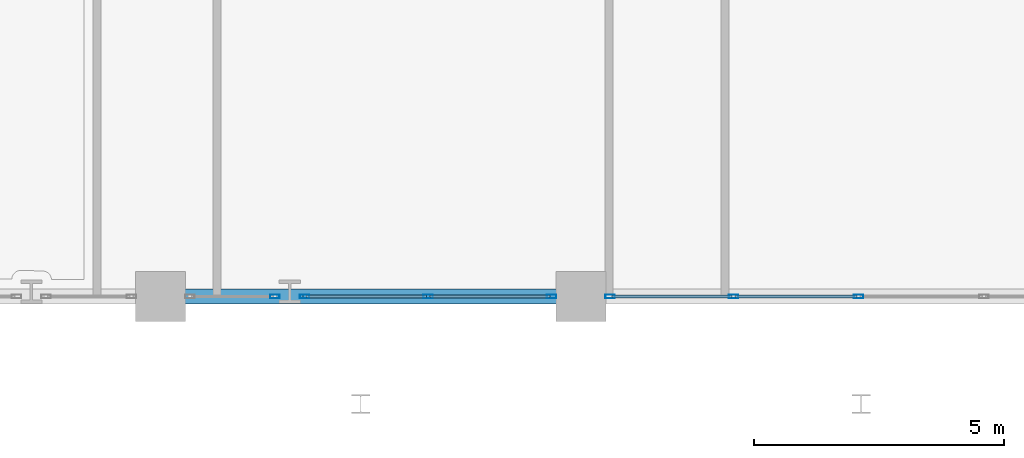
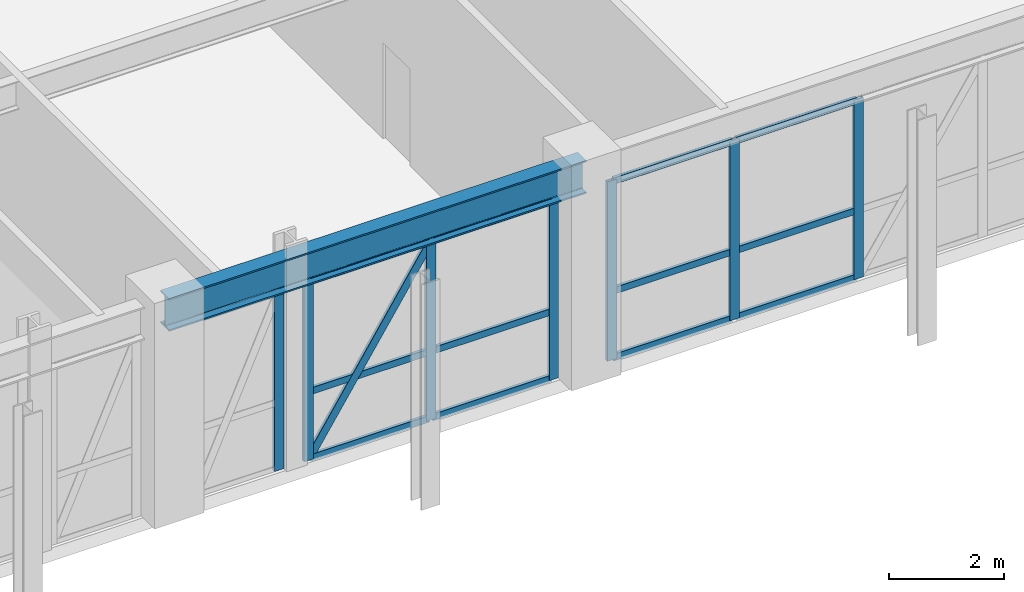
# One storey, part 9 of 48: 20 members, 1 beam, 3 elements without a shape of their own.
"""IFC4 building model written with IfcOpenShell, lengths in metres."""

import ifcopenshell
import ifcopenshell.guid

model = None  # the IFC model being written
_history = None  # IfcOwnerHistory: only IFC2X3 demands one
_inside = {}  # id of a spatial element -> (the spatial element, [elements in it])
_under = {}  # id of a project, library or spatial element -> (it, [spatial elements below it])
_declared = {}  # id of a project -> (the project, [libraries it declares])
_typed = {}  # id of a type object -> (the type object, [elements of that type])
_made_of = {}  # id of a material, layer set ... -> (it, [elements and type objects made of it])


def new_model(schema):
    """Start an empty IFC model of exactly this schema.

    Asked for "IFC4X3", IfcOpenShell would pick the latest addendum, in which some entities
    have other attributes; the version numbers below select the first issue.
    IFC2X3 requires an IfcOwnerHistory on every rooted entity: one is made here for all.
    """
    global model, _history
    if schema == "IFC4X3":
        model = ifcopenshell.file(schema_version=(4, 3, 0, 0))
    else:
        model = ifcopenshell.file(schema=schema)
    _inside.clear()
    _under.clear()
    _declared.clear()
    _typed.clear()
    _made_of.clear()
    _history = None
    if model.schema == "IFC2X3":
        org = make("IfcOrganization", Name="unknown")
        user = make(
            "IfcPersonAndOrganization",
            ThePerson=make("IfcPerson", FamilyName="unknown"),
            TheOrganization=org,
        )
        app = make(
            "IfcApplication",
            ApplicationDeveloper=org,
            Version="unknown",
            ApplicationFullName="unknown",
            ApplicationIdentifier="unknown",
        )
        _history = make(
            "IfcOwnerHistory",
            OwningUser=user,
            OwningApplication=app,
            ChangeAction="ADDED",
            CreationDate=0,
        )
    return model


def make(cls, **values):
    """One entity of the class cls with the attributes given. An attribute that is None is left unset."""
    return model.create_entity(
        cls, **{name: value for name, value in values.items() if value is not None}
    )


def rooted(cls, **values):
    """An entity with a GlobalId (a new one), such as an element, a storey or a relation."""
    return make(cls, GlobalId=ifcopenshell.guid.new(), OwnerHistory=_history, **values)


def si_unit(unit_type, name, prefix=None):
    """IfcSIUnit, for example si_unit("LENGTHUNIT", "METRE", prefix="MILLI")."""
    return make("IfcSIUnit", UnitType=unit_type, Prefix=prefix, Name=name)


def derived_unit(unit_type, elements):
    """IfcDerivedUnit: a product of units, each with its exponent."""
    return make(
        "IfcDerivedUnit",
        Elements=[
            make("IfcDerivedUnitElement", Unit=unit, Exponent=power)
            for unit, power in elements
        ],
        UnitType=unit_type,
    )


def assignment(units):
    """IfcUnitAssignment: the units of a project."""
    return None if units is None else make("IfcUnitAssignment", Units=units)


def point(xyz):
    """IfcCartesianPoint."""
    return None if xyz is None else make("IfcCartesianPoint", Coordinates=xyz)


def direction(xyz):
    """IfcDirection."""
    return None if xyz is None else make("IfcDirection", DirectionRatios=xyz)


def frame(location, z_axis=None, x_axis=None):
    """IfcAxis2Placement3D, a coordinate frame: its origin and axes. An axis left out is left unset."""
    return make(
        "IfcAxis2Placement3D",
        Location=point(location),
        Axis=direction(z_axis),
        RefDirection=direction(x_axis),
    )


def frame_2d(location, x_axis=None):
    """IfcAxis2Placement2D, a coordinate frame in the plane: its origin and x axis."""
    return make(
        "IfcAxis2Placement2D", Location=point(location), RefDirection=direction(x_axis)
    )


def origin():
    """The frame at (0, 0, 0) with its axes left unset."""
    return frame((0.0, 0.0, 0.0))


def origin_2d():
    """The frame at (0, 0) in the plane with its x axis left unset."""
    return frame_2d((0.0, 0.0))


def place(relative_to, where):
    """IfcLocalPlacement: puts the frame where relative to a parent placement (None: the world)."""
    return make(
        "IfcLocalPlacement", PlacementRelTo=relative_to, RelativePlacement=where
    )


def context(
    kind, dimensions, precision=None, world=None, true_north=None, identifier=None
):
    """IfcGeometricRepresentationContext, for example the 3D "Model" context."""
    return make(
        "IfcGeometricRepresentationContext",
        ContextIdentifier=identifier,
        ContextType=kind,
        CoordinateSpaceDimension=dimensions,
        Precision=precision,
        WorldCoordinateSystem=world,
        TrueNorth=true_north,
    )


def subcontext(parent, identifier, kind, view, scale=None):
    """IfcGeometricRepresentationSubContext, for example "Body" below "Model"."""
    return make(
        "IfcGeometricRepresentationSubContext",
        ContextIdentifier=identifier,
        ContextType=kind,
        ParentContext=parent,
        TargetScale=scale,
        TargetView=view,
    )


def project(units=None, contexts=None):
    """IfcProject with its units and contexts."""
    return rooted(
        "IfcProject",
        Name="project",
        RepresentationContexts=contexts,
        UnitsInContext=assignment(units),
    )


def spatial(cls, under=None, at=None, **own):
    """A site, building, storey or space (cls), placed at a placement, below another one or the project."""
    s = rooted(cls, ObjectPlacement=at, **own)
    if under is not None:
        _under.setdefault(under.id(), (under, []))[1].append(s)
    return s


def profile(cls, at=None, kind="AREA", **sizes):
    """A parametric profile (cls). Its sizes go by their IFC names, for example OverallWidth=200.0."""
    return make(cls, ProfileType=kind, Position=at, **sizes)


def hollow_rectangle(**sizes):
    """IfcRectangleHollowProfileDef."""
    return profile("IfcRectangleHollowProfileDef", **sizes)


def i_section(**sizes):
    """IfcIShapeProfileDef."""
    return profile("IfcIShapeProfileDef", **sizes)


def extrude(swept, where, along, depth):
    """IfcExtrudedAreaSolid: the profile swept, set in the frame where, extruded along a direction by depth."""
    return make(
        "IfcExtrudedAreaSolid",
        SweptArea=swept,
        Position=where,
        ExtrudedDirection=direction(along),
        Depth=depth,
    )


def shape(context_of_items, identifier, shape_type, items):
    """IfcShapeRepresentation: the items that make up one representation, for example the "Body"."""
    return make(
        "IfcShapeRepresentation",
        ContextOfItems=context_of_items,
        RepresentationIdentifier=identifier,
        RepresentationType=shape_type,
        Items=items,
    )


def source(mapping_origin, context_of_items, identifier, shape_type, items):
    """IfcRepresentationMap: a shape defined once, which mapped items show again and again."""
    return make(
        "IfcRepresentationMap",
        MappingOrigin=mapping_origin,
        MappedRepresentation=shape(context_of_items, identifier, shape_type, items),
    )


def transform(
    local_origin,
    x_axis=None,
    y_axis=None,
    z_axis=None,
    scale=None,
    scale2=None,
    scale3=None,
    uniform=True,
):
    """IfcCartesianTransformationOperator3D, or its non-uniform kind. x_axis, y_axis, z_axis: its Axis1, 2, 3."""
    if uniform:
        return make(
            "IfcCartesianTransformationOperator3D",
            Axis1=direction(x_axis),
            Axis2=direction(y_axis),
            LocalOrigin=point(local_origin),
            Scale=scale,
            Axis3=direction(z_axis),
        )
    return make(
        "IfcCartesianTransformationOperator3DnonUniform",
        Axis1=direction(x_axis),
        Axis2=direction(y_axis),
        LocalOrigin=point(local_origin),
        Scale=scale,
        Axis3=direction(z_axis),
        Scale2=scale2,
        Scale3=scale3,
    )


def mapped(mapping_source, mapping_target):
    """IfcMappedItem: shows the shape of a source again, moved by a transform."""
    return make(
        "IfcMappedItem", MappingSource=mapping_source, MappingTarget=mapping_target
    )


def material(Name=None, Category=None):
    """IfcMaterial."""
    return make("IfcMaterial", Name=Name, Category=Category)


def layer(
    of_material, thickness, ventilated=None, Name=None, Category=None, Priority=None
):
    """IfcMaterialLayer: one layer of a wall or slab, of a material (None: an air gap)."""
    return make(
        "IfcMaterialLayer",
        Material=of_material,
        LayerThickness=thickness,
        IsVentilated=ventilated,
        Name=Name,
        Category=Category,
        Priority=Priority,
    )


def layer_set(layers, Name=None):
    """IfcMaterialLayerSet."""
    return make("IfcMaterialLayerSet", MaterialLayers=layers, LayerSetName=Name)


def material_profile(
    of_material, cross_section, Name=None, Category=None, Priority=None
):
    """IfcMaterialProfile: a cross section and its material."""
    return make(
        "IfcMaterialProfile",
        Name=Name,
        Material=of_material,
        Profile=cross_section,
        Priority=Priority,
        Category=Category,
    )


def profile_set(profiles, Name=None, composite=None):
    """IfcMaterialProfileSet."""
    return make(
        "IfcMaterialProfileSet",
        Name=Name,
        MaterialProfiles=profiles,
        CompositeProfile=composite,
    )


def made_of(thing, what):
    """Note that an element or type object is made of a material, layer set ...; save() writes the relation."""
    if what is not None:
        _made_of.setdefault(what.id(), (what, []))[1].append(thing)
    return thing


def type_object(cls, material=None, **own):
    """A type object (cls), such as IfcWallType, which elements share."""
    return made_of(rooted(cls, **own), material)


def element(
    cls,
    number,
    at=None,
    inside=None,
    cuts=None,
    type_object=None,
    material=None,
    context=None,
    identifier="Body",
    shape_type=None,
    held_by="IfcProductDefinitionShape",
    body=None,
    shapes=None,
    **own,
):
    """One element of the class cls, such as IfcWall. Its Tag is "e" and its number.

    at: its placement. inside: the storey or other place that contains it. cuts: it is an
    opening in that element (IfcRelVoidsElement). A single representation is given by context,
    identifier, shape_type and body (its items); several are given by shapes. held_by: the class
    of the entity that holds the representations. save() writes the other relations.
    """
    e = rooted(cls, Tag="e%d" % number, ObjectPlacement=at, **own)
    if body is not None:
        shapes = [shape(context, identifier, shape_type, body)]
    if shapes is not None:
        e.Representation = make(held_by, Representations=shapes)
    if inside is not None:
        _inside.setdefault(inside.id(), (inside, []))[1].append(e)
    if cuts is not None:
        rooted(
            "IfcRelVoidsElement", RelatingBuildingElement=cuts, RelatedOpeningElement=e
        )
    if type_object is not None:
        _typed.setdefault(type_object.id(), (type_object, []))[1].append(e)
    return made_of(e, material)


def aggregate(whole, parts):
    """IfcRelAggregates: a whole, such as a stair, and the parts it consists of."""
    return rooted("IfcRelAggregates", RelatingObject=whole, RelatedObjects=parts)


def save(model, path):
    """Write the relations noted so far, then the file.

    IfcRelAggregates (storeys below a building ...), IfcRelContainedInSpatialStructure (elements
    in a storey), IfcRelDefinesByType, IfcRelAssociatesMaterial and IfcRelDeclares: one each for
    every whole, place, type object, material and project.
    """
    for whole, parts in _under.values():
        aggregate(whole, parts)
    for where, things in _inside.values():
        rooted(
            "IfcRelContainedInSpatialStructure",
            RelatedElements=things,
            RelatingStructure=where,
        )
    for kind, things in _typed.values():
        rooted("IfcRelDefinesByType", RelatedObjects=things, RelatingType=kind)
    for what, things in _made_of.values():
        rooted("IfcRelAssociatesMaterial", RelatedObjects=things, RelatingMaterial=what)
    for by, libraries in _declared.values():
        rooted("IfcRelDeclares", RelatingContext=by, RelatedDefinitions=libraries)
    model.write(path)


model = new_model("IFC4")

# Units and contexts
model_context = context("Model", 3, precision=1e-05, world=origin(), true_north=direction((0.0, 1.0)))
body_context = subcontext(model_context, "Body", "Model", "MODEL_VIEW")
ifc_project = project(units=[si_unit("LENGTHUNIT", "METRE"), si_unit("AREAUNIT", "SQUARE_METRE"), si_unit("VOLUMEUNIT", "CUBIC_METRE"), si_unit("PLANEANGLEUNIT", "RADIAN"), si_unit("MASSUNIT", "GRAM", prefix="KILO"), derived_unit("THERMALTRANSMITTANCEUNIT", [(si_unit("POWERUNIT", "WATT"), 1), (si_unit("LENGTHUNIT", "METRE"), -2), (si_unit("THERMODYNAMICTEMPERATUREUNIT", "KELVIN"), -1)])], contexts=[model_context])

# Site, building, storey
site_placement = place(None, origin())
site = spatial("IfcSite", under=ifc_project, at=site_placement, CompositionType="ELEMENT")
building_placement = place(site_placement, origin())
building = spatial("IfcBuilding", under=site, at=building_placement, Name="Korsvarv Bourse and Concert Hall", CompositionType="ELEMENT")
storey_placement = place(building_placement, frame((0.0, 0.0, 4.800048828125)))
storey = spatial("IfcBuildingStorey", under=building, at=storey_placement, Name="L01", CompositionType="ELEMENT", Elevation=4.800048828125)

# Beam
ifc_material_1 = material(Name="Steel S355", Category="steel")
ifc_material_profile_1 = material_profile(ifc_material_1, i_section(OverallWidth=0.300048828125, OverallDepth=0.699951171875, WebThickness=0.01708984375, FlangeThickness=0.031982421875, FilletRadius=0.027099609375, at=origin_2d()), Name="HEB 700")
ifc_profile_set_1 = profile_set([ifc_material_profile_1], Name="Steel S355")
beam_type = type_object("IfcBeamType", Name="BM-HEB700", PredefinedType="BEAM", material=ifc_profile_set_1)
shared_shape_1 = source(origin(), body_context, "Body", "SweptSolid", [
    extrude(i_section(OverallWidth=0.300048828125, OverallDepth=0.699951171875, WebThickness=0.01708984375, FlangeThickness=0.031982421875, FilletRadius=0.027099609375, at=origin_2d()), origin(), (0.0, 0.0, 1.0), 8.39990234375),
])
beam_placement = place(storey_placement, frame((36.0, 3.0, 4.169921875), z_axis=(1.0, 0.0, 0.0), x_axis=(0.0, 1.0, 0.0)))
element("IfcBeam", 1, at=beam_placement, inside=storey, type_object=beam_type, Name="L01 beam B-03", PredefinedType="BEAM", context=body_context, shape_type="MappedRepresentation", body=[
    mapped(shared_shape_1, transform((0.0, 0.0, 0.0), scale=1.0)),
])

# Curtain wall, member
ifc_material_2 = material(Name="Anodised aluminium and triple low-E glazing", Category="glass")
ifc_layer = layer(ifc_material_2, 0.239990234375)
ifc_layer_set = layer_set([ifc_layer], Name="Anodised aluminium and triple low-E glazing")
curtain_wall_type = type_object("IfcCurtainWallType", Name="CW-SYS-5", PredefinedType="NOTDEFINED", material=ifc_layer_set)
curtain_wall_1_placement = place(storey_placement, origin())
curtain_wall_1 = element("IfcCurtainWall", 2, at=curtain_wall_1_placement, inside=storey, type_object=curtain_wall_type, Name="L01 CW5 curtain wall CW-L01-S4-1", PredefinedType="NOTDEFINED")
ifc_material_3 = material(Name="Extruded aluminium EN AW-6063 T66", Category="aluminium")
ifc_material_profile_2 = material_profile(ifc_material_3, hollow_rectangle(XDim=0.070068359375, YDim=0.18994140625, WallThickness=0.0048828125, at=origin_2d()), Name="ALU-M 70x190")
ifc_profile_set_2 = profile_set([ifc_material_profile_2], Name="Extruded aluminium EN AW-6063 T66")
member_type_1 = type_object("IfcMemberType", Name="CWM-190", PredefinedType="MULLION", material=ifc_profile_set_2)
shared_shape_2 = source(origin(), body_context, "Body", "SweptSolid", [
    extrude(hollow_rectangle(XDim=0.070068359375, YDim=0.18994140625, WallThickness=0.0048828125, at=origin_2d()), origin(), (0.0, 0.0, 1.0), 3.820068359375),
])
member_1_placement = place(storey_placement, frame((38.284912109375, 3.0, 0.0), z_axis=(0.0, 0.0, 1.0), x_axis=(0.0, 1.0, 0.0)))
member_1 = element("IfcMember", 3, at=member_1_placement, type_object=member_type_1, Name="CW5 mullion 2", PredefinedType="MULLION", context=body_context, shape_type="MappedRepresentation", body=[
    mapped(shared_shape_2, transform((0.0, 0.0, 0.0), scale=1.0)),
])
aggregate(curtain_wall_1, [member_1])

# Curtain wall, members
curtain_wall_2_placement = place(storey_placement, origin())
curtain_wall_2 = element("IfcCurtainWall", 4, at=curtain_wall_2_placement, inside=storey, type_object=curtain_wall_type, Name="L01 CW5 curtain wall CW-L01-S4-2", PredefinedType="NOTDEFINED")
member_2_placement = place(storey_placement, frame((38.87890625, 3.0, 0.0), z_axis=(0.0, 0.0, 1.0), x_axis=(0.0, 1.0, 0.0)))
member_2 = element("IfcMember", 5, at=member_2_placement, type_object=member_type_1, Name="CW5 mullion 1", PredefinedType="MULLION", context=body_context, shape_type="MappedRepresentation", body=[
    mapped(shared_shape_2, transform((0.0, 0.0, 0.0), scale=1.0)),
])
member_3_placement = place(storey_placement, frame((41.346923828125, 3.0, 0.0), z_axis=(0.0, 0.0, 1.0), x_axis=(0.0, 1.0, 0.0)))
member_3 = element("IfcMember", 6, at=member_3_placement, type_object=member_type_1, Name="CW5 mullion 2", PredefinedType="MULLION", context=body_context, shape_type="MappedRepresentation", body=[
    mapped(shared_shape_2, transform((0.0, 0.0, 0.0), scale=1.0)),
])
member_4_placement = place(storey_placement, frame((43.81494140625, 3.0, 0.0), z_axis=(0.0, 0.0, 1.0), x_axis=(0.0, 1.0, 0.0)))
member_4 = element("IfcMember", 7, at=member_4_placement, type_object=member_type_1, Name="CW5 mullion 3", PredefinedType="MULLION", context=body_context, shape_type="MappedRepresentation", body=[
    mapped(shared_shape_2, transform((0.0, 0.0, 0.0), scale=1.0)),
])

curtain_wall_3_placement = place(storey_placement, origin())
curtain_wall_3 = element("IfcCurtainWall", 8, at=curtain_wall_3_placement, inside=storey, type_object=curtain_wall_type, Name="L01 CW5 curtain wall CW-L01-S5", PredefinedType="NOTDEFINED")
member_5_placement = place(storey_placement, frame((44.985107421875, 3.0, 0.0), z_axis=(0.0, 0.0, 1.0), x_axis=(0.0, 1.0, 0.0)))
member_5 = element("IfcMember", 9, at=member_5_placement, type_object=member_type_1, Name="CW5 mullion 1", PredefinedType="MULLION", context=body_context, shape_type="MappedRepresentation", body=[
    mapped(shared_shape_2, transform((0.0, 0.0, 0.0), scale=1.0)),
])
member_6_placement = place(storey_placement, frame((47.449951171875, 3.0, 0.0), z_axis=(0.0, 0.0, 1.0), x_axis=(0.0, 1.0, 0.0)))
member_6 = element("IfcMember", 10, at=member_6_placement, type_object=member_type_1, Name="CW5 mullion 2", PredefinedType="MULLION", context=body_context, shape_type="MappedRepresentation", body=[
    mapped(shared_shape_2, transform((0.0, 0.0, 0.0), scale=1.0)),
])
member_7_placement = place(storey_placement, frame((49.949951171875, 3.0, 0.0), z_axis=(0.0, 0.0, 1.0), x_axis=(0.0, 1.0, 0.0)))
member_7 = element("IfcMember", 11, at=member_7_placement, type_object=member_type_1, Name="CW5 mullion 3", PredefinedType="MULLION", context=body_context, shape_type="MappedRepresentation", body=[
    mapped(shared_shape_2, transform((0.0, 0.0, 0.0), scale=1.0)),
])
ifc_material_profile_3 = material_profile(ifc_material_3, hollow_rectangle(XDim=0.06494140625, YDim=0.139892578125, WallThickness=0.00390625, at=origin_2d()), Name="ALU-T 65x140")
ifc_profile_set_3 = profile_set([ifc_material_profile_3], Name="Extruded aluminium EN AW-6063 T66")
member_type_2 = type_object("IfcMemberType", Name="CWT-140", PredefinedType="USERDEFINED", material=ifc_profile_set_3)
shared_shape_3 = source(origin(), body_context, "Body", "SweptSolid", [
    extrude(hollow_rectangle(XDim=0.06494140625, YDim=0.139892578125, WallThickness=0.00390625, at=origin_2d()), origin(), (0.0, 0.0, 1.0), 2.429931640625),
])
member_8_placement = place(storey_placement, frame((47.485107421875, 3.0, 0.032470703125), z_axis=(1.0, 0.0, 0.0), x_axis=(0.0, 1.0, 0.0)))
member_8 = element("IfcMember", 12, at=member_8_placement, type_object=member_type_2, Name="CW5 transom 2.1", ObjectType="TRANSOM", PredefinedType="USERDEFINED", context=body_context, shape_type="MappedRepresentation", body=[
    mapped(shared_shape_3, transform((0.0, 0.0, 0.0), scale=1.0)),
])
member_9_placement = place(storey_placement, frame((47.485107421875, 3.0, 1.45166015625), z_axis=(1.0, 0.0, 0.0), x_axis=(0.0, 1.0, 0.0)))
member_9 = element("IfcMember", 13, at=member_9_placement, type_object=member_type_2, Name="CW5 transom 2.2", ObjectType="TRANSOM", PredefinedType="USERDEFINED", context=body_context, shape_type="MappedRepresentation", body=[
    mapped(shared_shape_3, transform((0.0, 0.0, 0.0), scale=1.0)),
])
member_10_placement = place(storey_placement, frame((47.485107421875, 3.0, 3.787353515625), z_axis=(1.0, 0.0, 0.0), x_axis=(0.0, 1.0, 0.0)))
member_10 = element("IfcMember", 14, at=member_10_placement, type_object=member_type_2, Name="CW5 transom 2.3", ObjectType="TRANSOM", PredefinedType="USERDEFINED", context=body_context, shape_type="MappedRepresentation", body=[
    mapped(shared_shape_3, transform((0.0, 0.0, 0.0), scale=1.0)),
])
shared_shape_4 = source(origin(), body_context, "Body", "SweptSolid", [
    extrude(hollow_rectangle(XDim=0.06494140625, YDim=0.139892578125, WallThickness=0.00390625, at=origin_2d()), origin(), (0.0, 0.0, 1.0), 2.39501953125),
])
member_11_placement = place(storey_placement, frame((45.02001953125, 3.0, 0.032470703125), z_axis=(1.0, 0.0, 0.0), x_axis=(0.0, 1.0, 0.0)))
member_11 = element("IfcMember", 15, at=member_11_placement, type_object=member_type_2, Name="CW5 transom 1.1", ObjectType="TRANSOM", PredefinedType="USERDEFINED", context=body_context, shape_type="MappedRepresentation", body=[
    mapped(shared_shape_4, transform((0.0, 0.0, 0.0), scale=1.0)),
])
member_12_placement = place(storey_placement, frame((45.02001953125, 3.0, 1.45166015625), z_axis=(1.0, 0.0, 0.0), x_axis=(0.0, 1.0, 0.0)))
member_12 = element("IfcMember", 16, at=member_12_placement, type_object=member_type_2, Name="CW5 transom 1.2", ObjectType="TRANSOM", PredefinedType="USERDEFINED", context=body_context, shape_type="MappedRepresentation", body=[
    mapped(shared_shape_4, transform((0.0, 0.0, 0.0), scale=1.0)),
])
member_13_placement = place(storey_placement, frame((45.02001953125, 3.0, 3.787353515625), z_axis=(1.0, 0.0, 0.0), x_axis=(0.0, 1.0, 0.0)))
member_13 = element("IfcMember", 17, at=member_13_placement, type_object=member_type_2, Name="CW5 transom 1.3", ObjectType="TRANSOM", PredefinedType="USERDEFINED", context=body_context, shape_type="MappedRepresentation", body=[
    mapped(shared_shape_4, transform((0.0, 0.0, 0.0), scale=1.0)),
])
aggregate(curtain_wall_3, [member_5, member_6, member_7, member_11, member_12, member_13, member_8, member_9, member_10])

# Member
shared_shape_5 = source(origin(), body_context, "Body", "SweptSolid", [
    extrude(hollow_rectangle(XDim=0.06494140625, YDim=0.139892578125, WallThickness=0.00390625, at=origin_2d()), origin(), (0.0, 0.0, 1.0), 2.398193359375),
])
member_14_placement = place(storey_placement, frame((38.913818359375, 3.0, 0.032470703125), z_axis=(1.0, 0.0, 0.0), x_axis=(0.0, 1.0, 0.0)))
member_14 = element("IfcMember", 18, at=member_14_placement, type_object=member_type_2, Name="CW5 transom 1.1", ObjectType="TRANSOM", PredefinedType="USERDEFINED", context=body_context, shape_type="MappedRepresentation", body=[
    mapped(shared_shape_5, transform((0.0, 0.0, 0.0), scale=1.0)),
])

member_15_placement = place(storey_placement, frame((38.913818359375, 3.0, 1.45166015625), z_axis=(1.0, 0.0, 0.0), x_axis=(0.0, 1.0, 0.0)))
member_15 = element("IfcMember", 19, at=member_15_placement, type_object=member_type_2, Name="CW5 transom 1.2", ObjectType="TRANSOM", PredefinedType="USERDEFINED", context=body_context, shape_type="MappedRepresentation", body=[
    mapped(shared_shape_5, transform((0.0, 0.0, 0.0), scale=1.0)),
])

member_16_placement = place(storey_placement, frame((38.913818359375, 3.0, 3.787353515625), z_axis=(1.0, 0.0, 0.0), x_axis=(0.0, 1.0, 0.0)))
member_16 = element("IfcMember", 20, at=member_16_placement, type_object=member_type_2, Name="CW5 transom 1.3", ObjectType="TRANSOM", PredefinedType="USERDEFINED", context=body_context, shape_type="MappedRepresentation", body=[
    mapped(shared_shape_5, transform((0.0, 0.0, 0.0), scale=1.0)),
])

member_17_placement = place(storey_placement, frame((41.3818359375, 3.0, 0.032470703125), z_axis=(1.0, 0.0, 0.0), x_axis=(0.0, 1.0, 0.0)))
member_17 = element("IfcMember", 21, at=member_17_placement, type_object=member_type_2, Name="CW5 transom 2.1", ObjectType="TRANSOM", PredefinedType="USERDEFINED", context=body_context, shape_type="MappedRepresentation", body=[
    mapped(shared_shape_5, transform((0.0, 0.0, 0.0), scale=1.0)),
])

member_18_placement = place(storey_placement, frame((41.3818359375, 3.0, 1.45166015625), z_axis=(1.0, 0.0, 0.0), x_axis=(0.0, 1.0, 0.0)))
member_18 = element("IfcMember", 22, at=member_18_placement, type_object=member_type_2, Name="CW5 transom 2.2", ObjectType="TRANSOM", PredefinedType="USERDEFINED", context=body_context, shape_type="MappedRepresentation", body=[
    mapped(shared_shape_5, transform((0.0, 0.0, 0.0), scale=1.0)),
])

member_19_placement = place(storey_placement, frame((41.3818359375, 3.0, 3.787353515625), z_axis=(1.0, 0.0, 0.0), x_axis=(0.0, 1.0, 0.0)))
member_19 = element("IfcMember", 23, at=member_19_placement, type_object=member_type_2, Name="CW5 transom 2.3", ObjectType="TRANSOM", PredefinedType="USERDEFINED", context=body_context, shape_type="MappedRepresentation", body=[
    mapped(shared_shape_5, transform((0.0, 0.0, 0.0), scale=1.0)),
])

ifc_material_profile_4 = material_profile(ifc_material_3, hollow_rectangle(XDim=0.06494140625, YDim=0.1650390625, WallThickness=0.0048828125, at=origin_2d()), Name="ALU-M 65x165")
ifc_profile_set_4 = profile_set([ifc_material_profile_4], Name="Extruded aluminium EN AW-6063 T66")
member_type_3 = type_object("IfcMemberType", Name="CWM-165", PredefinedType="MULLION", material=ifc_profile_set_4)
shared_shape_6 = source(origin(), body_context, "Body", "SweptSolid", [
    extrude(hollow_rectangle(XDim=0.06494140625, YDim=0.1650390625, WallThickness=0.0048828125, at=origin_2d()), origin(), (0.0, 0.0, 1.0), 4.40087890625),
])
member_20_placement = place(storey_placement, frame((38.913818359375, 3.0, 0.06494140625), z_axis=(0.544945450672, 0.0, 0.83847149969), x_axis=(0.0, 1.0, 0.0)))
member_20 = element("IfcMember", 24, at=member_20_placement, type_object=member_type_3, Name="CW5 diagonal mullion 1", PredefinedType="MULLION", context=body_context, shape_type="MappedRepresentation", body=[
    mapped(shared_shape_6, transform((0.0, 0.0, 0.0), scale=1.0)),
])

aggregate(curtain_wall_2, [member_2, member_3, member_4, member_14, member_15, member_16, member_20, member_17, member_18, member_19])

save(model, "model.ifc")
